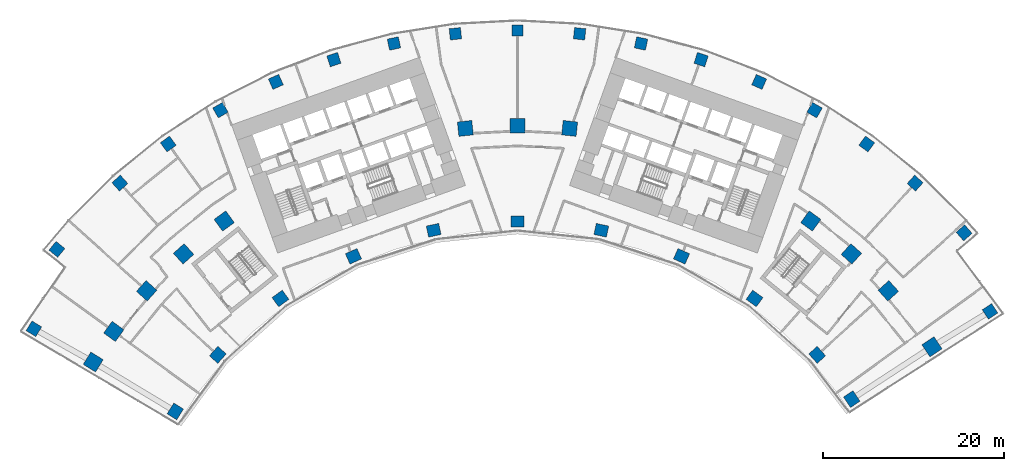
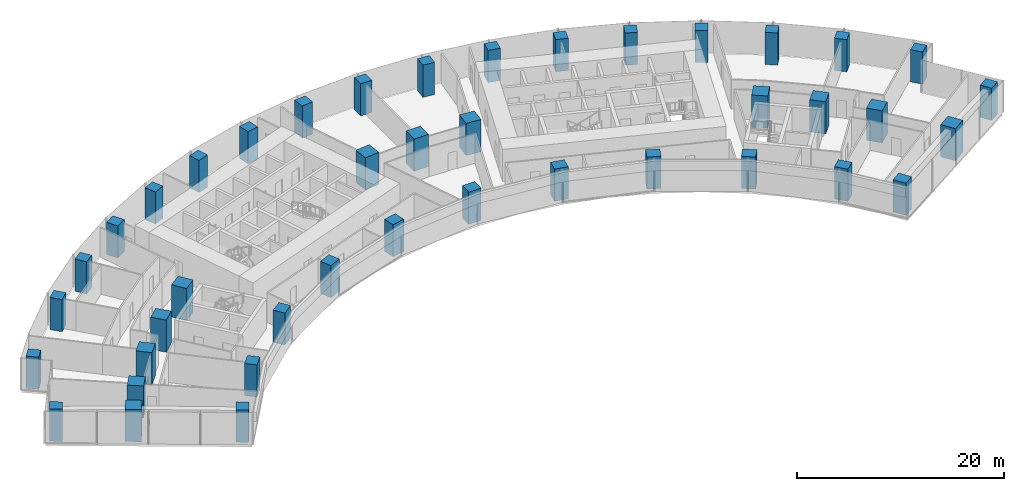
# One storey, part 1 of 21: 42 columns.
"""IFC4 building model written with IfcOpenShell, lengths in metres."""

from ifc_helpers import new_model, si_unit, direction, frame, origin, origin_2d, place, context, subcontext, project, spatial, rectangle, extrude, material, material_profile, profile_set, type_object, element, save


model = new_model("IFC4")

# Units and contexts
model_context = context("Model", 3, precision=1e-05, world=origin(), true_north=direction((0.0, 1.0)))
body_context = subcontext(model_context, "Body", "Model", "MODEL_VIEW")
ifc_project = project(units=[si_unit("LENGTHUNIT", "METRE"), si_unit("AREAUNIT", "SQUARE_METRE"), si_unit("VOLUMEUNIT", "CUBIC_METRE"), si_unit("PLANEANGLEUNIT", "RADIAN"), si_unit("MASSUNIT", "GRAM", prefix="KILO")], contexts=[model_context])

# Site, building, storey
site_placement = place(None, origin())
site = spatial("IfcSite", under=ifc_project, at=site_placement, CompositionType="ELEMENT")
building_placement = place(site_placement, origin())
building = spatial("IfcBuilding", under=site, at=building_placement, Name="Stone Belt Terrace Tower", CompositionType="ELEMENT")
storey_placement = place(building_placement, frame((0.0, 0.0, 49.0)))
storey = spatial("IfcBuildingStorey", under=building, at=storey_placement, Name="L11", CompositionType="ELEMENT", Elevation=49.0)

# Columns
ifc_material = material(Name="Concrete B80", Category="concrete")
ifc_material_profile_1 = material_profile(ifc_material, rectangle(XDim=1.25, YDim=1.25, at=origin_2d()), Name="RC 1250x1250")
ifc_profile_set_1 = profile_set([ifc_material_profile_1], Name="Concrete B80")
column_type_1 = type_object("IfcColumnType", Name="Column RC 1250x1250 B80", PredefinedType="COLUMN", material=ifc_profile_set_1)
for number, where, z_axis, x_axis, name in (
    (1, (-53.30078125, 32.6171875, 0.0), (0.0, 0.0, 1.0), (0.521967198123, 0.852965558556, 0.0), "Column L11 RA"),
    (2, (52.079833984375, 34.533203125, 0.0), (0.0, 0.0, 1.0), (0.552632476899, -0.833425068903, 0.0), "Column L11 RB"),
    (3, (-50.7646484375, 41.373046875, 0.0), (0.0, 0.0, 1.0), (0.631758757508, 0.775165061333, 0.0), "Column L11 RNA"),
    (4, (-43.820556640625, 48.667724609375, 0.0), (0.0, 0.0, 1.0), (0.743144825477, 0.669130606359, 0.0), "Column L11 R15"),
    (5, (-38.493408203125, 52.981689453125, 0.0), (0.0, 0.0, 1.0), (0.809016994375, 0.587785252292, 0.0), "Column L11 R16"),
    (6, (-32.744384765625, 56.715087890625, 0.0), (0.0, 0.0, 1.0), (0.866025403784, 0.5, 0.0), "Column L11 R17"),
    (7, (-26.63671875, 59.8271484375, 0.0), (0.0, 0.0, 1.0), (0.913545457643, 0.406736643076, 0.0), "Column L11 R18"),
    (8, (-20.2373046875, 62.28369140625, 0.0), (0.0, 0.0, 1.0), (0.951056516295, 0.309016994375, 0.0), "Column L11 R19"),
    (9, (-13.615966796875, 64.057861328125, 0.0), (0.0, 0.0, 1.0), (0.978147600734, 0.207911690818, 0.0), "Column L11 R20"),
    (10, (-6.845458984375, 65.130126953125, 0.0), (0.0, 0.0, 1.0), (0.994521895368, 0.104528463268, 0.0), "Column L11 R21"),
    (11, (0.0, 65.489013671875, 0.0), (0.0, 0.0, 1.0), (1.0, 0.0, 0.0), "Column L11 R22"),
    (12, (6.845458984375, 65.130126953125, 0.0), (0.0, 0.0, 1.0), (0.994521895368, -0.104528463268, 0.0), "Column L11 R23"),
    (13, (13.615966796875, 64.057861328125, 0.0), (0.0, 0.0, 1.0), (0.978147600734, -0.207911690818, 0.0), "Column L11 R24"),
    (14, (20.2373046875, 62.28369140625, 0.0), (0.0, 0.0, 1.0), (0.951056516295, -0.309016994375, 0.0), "Column L11 R25"),
    (15, (26.63671875, 59.8271484375, 0.0), (0.0, 0.0, 1.0), (0.913545457643, -0.406736643076, 0.0), "Column L11 R26"),
    (16, (32.744384765625, 56.715087890625, 0.0), (0.0, 0.0, 1.0), (0.866025403784, -0.5, 0.0), "Column L11 R27"),
    (17, (38.493408203125, 52.981689453125, 0.0), (0.0, 0.0, 1.0), (0.809016994375, -0.587785252292, 0.0), "Column L11 R28"),
    (18, (43.820556640625, 48.667724609375, 0.0), (0.0, 0.0, 1.0), (0.743144825477, -0.669130606359, 0.0), "Column L11 R29"),
    (19, (49.22705078125, 43.19140625, 0.0), (0.0, 0.0, 1.0), (0.659521632939, -0.751685582997, 0.0), "Column L11 RNB"),
):
    element("IfcColumn", number, at=place(storey_placement, frame(where, z_axis=z_axis, x_axis=x_axis)), inside=storey, type_object=column_type_1, Name=name, PredefinedType="COLUMN", context=body_context, shape_type="SweptSolid", body=[
        extrude(rectangle(XDim=1.25, YDim=1.25, at=origin_2d()), origin(), (0.0, 0.0, 1.0), 3.800048828125),
    ])
ifc_material_profile_2 = material_profile(ifc_material, rectangle(XDim=1.39990234375, YDim=1.25, at=origin_2d()), Name="RC 1400x1250")
ifc_profile_set_2 = profile_set([ifc_material_profile_2], Name="Concrete B80")
column_type_2 = type_object("IfcColumnType", Name="Column RC 1400x1250 B80", PredefinedType="COLUMN", material=ifc_profile_set_2)
for number, where, z_axis, x_axis, name in (
    (20, (-37.718017578125, 23.510009765625, 0.0), (0.0, 0.0, 1.0), (0.528967211548, 0.84864226215, 0.0), "Column L11 PA"),
    (21, (-33.029052734375, 29.739501953125, 0.0), (0.0, 0.0, 1.0), (0.669130606359, 0.743144825477, 0.0), "Column L11 P14"),
    (22, (-26.1240234375, 35.956787109375, 0.0), (0.0, 0.0, 1.0), (0.809016994375, 0.587785252292, 0.0), "Column L11 P16"),
    (23, (-18.077392578125, 40.6025390625, 0.0), (0.0, 0.0, 1.0), (0.913545457643, 0.406736643076, 0.0), "Column L11 P18"),
    (24, (-9.240478515625, 43.473876953125, 0.0), (0.0, 0.0, 1.0), (0.978147600734, 0.207911690818, 0.0), "Column L11 P20"),
    (25, (0.0, 44.445068359375, 0.0), (0.0, 0.0, 1.0), (1.0, 0.0, 0.0), "Column L11 P22"),
    (26, (9.240478515625, 43.473876953125, 0.0), (0.0, 0.0, 1.0), (0.978147600734, -0.207911690818, 0.0), "Column L11 P24"),
    (27, (18.077392578125, 40.6025390625, 0.0), (0.0, 0.0, 1.0), (0.913545457643, -0.406736643076, 0.0), "Column L11 P26"),
    (28, (26.1240234375, 35.956787109375, 0.0), (0.0, 0.0, 1.0), (0.809016994375, -0.587785252292, 0.0), "Column L11 P28"),
    (29, (33.029052734375, 29.739501953125, 0.0), (0.0, 0.0, 1.0), (0.669130606359, -0.743144825477, 0.0), "Column L11 P30"),
    (30, (36.83837890625, 24.865478515625, 0.0), (0.0, 0.0, 1.0), (0.559469238608, -0.828851115129, 0.0), "Column L11 PB"),
):
    element("IfcColumn", number, at=place(storey_placement, frame(where, z_axis=z_axis, x_axis=x_axis)), inside=storey, type_object=column_type_2, Name=name, PredefinedType="COLUMN", context=body_context, shape_type="SweptSolid", body=[
        extrude(rectangle(XDim=1.39990234375, YDim=1.25, at=origin_2d()), origin(), (0.0, 0.0, 1.0), 3.800048828125),
    ])
ifc_material_profile_3 = material_profile(ifc_material, rectangle(XDim=1.60009765625, YDim=1.60009765625, at=origin_2d()), Name="RC 1600x1600")
ifc_profile_set_3 = profile_set([ifc_material_profile_3], Name="Concrete B80")
column_type_3 = type_object("IfcColumnType", Name="Column RC 1600x1600 B80", PredefinedType="COLUMN", material=ifc_profile_set_3)
for number, where, z_axis, x_axis, name in (
    (31, (-46.763671875, 28.951171875, 0.0), (0.0, 0.0, 1.0), (0.526383105721, 0.850247508677, 0.0), "Column L11 QA"),
    (32, (-44.495849609375, 32.328125, 0.0), (0.0, 0.0, 1.0), (0.587785252292, 0.809016994375, 0.0), "Column L11 Q13"),
    (33, (-40.873046875, 36.80224609375, 0.0), (0.0, 0.0, 1.0), (0.669130606359, 0.743144825477, 0.0), "Column L11 Q14"),
    (34, (-36.80224609375, 40.873046875, 0.0), (0.0, 0.0, 1.0), (0.743144825477, 0.669130606359, 0.0), "Column L11 Q15"),
    (35, (-32.328125, 44.495849609375, 0.0), (0.0, 0.0, 1.0), (0.809016994375, 0.587785252292, 0.0), "Column L11 Q16"),
    (36, (-5.7490234375, 54.69873046875, 0.0), (0.0, 0.0, 1.0), (0.994521895368, 0.104528463268, 0.0), "Column L11 Q21"),
    (37, (0.0, 55.0, 0.0), (0.0, 0.0, 1.0), (1.0, 0.0, 0.0), "Column L11 Q22"),
    (38, (5.7490234375, 54.69873046875, 0.0), (0.0, 0.0, 1.0), (0.994521895368, -0.104528463268, 0.0), "Column L11 Q23"),
    (39, (32.328125, 44.495849609375, 0.0), (0.0, 0.0, 1.0), (0.809016994375, -0.587785252292, 0.0), "Column L11 Q28"),
    (40, (36.80224609375, 40.873046875, 0.0), (0.0, 0.0, 1.0), (0.743144825477, -0.669130606359, 0.0), "Column L11 Q29"),
    (41, (40.873046875, 36.80224609375, 0.0), (0.0, 0.0, 1.0), (0.669130606359, -0.743144825477, 0.0), "Column L11 Q30"),
    (42, (45.68017578125, 30.632080078125, 0.0), (0.0, 0.0, 1.0), (0.556946647954, -0.830548271525, 0.0), "Column L11 QB"),
):
    element("IfcColumn", number, at=place(storey_placement, frame(where, z_axis=z_axis, x_axis=x_axis)), inside=storey, type_object=column_type_3, Name=name, PredefinedType="COLUMN", context=body_context, shape_type="SweptSolid", body=[
        extrude(rectangle(XDim=1.60009765625, YDim=1.60009765625, at=origin_2d()), origin(), (0.0, 0.0, 1.0), 3.800048828125),
    ])

save(model, "model.ifc")
